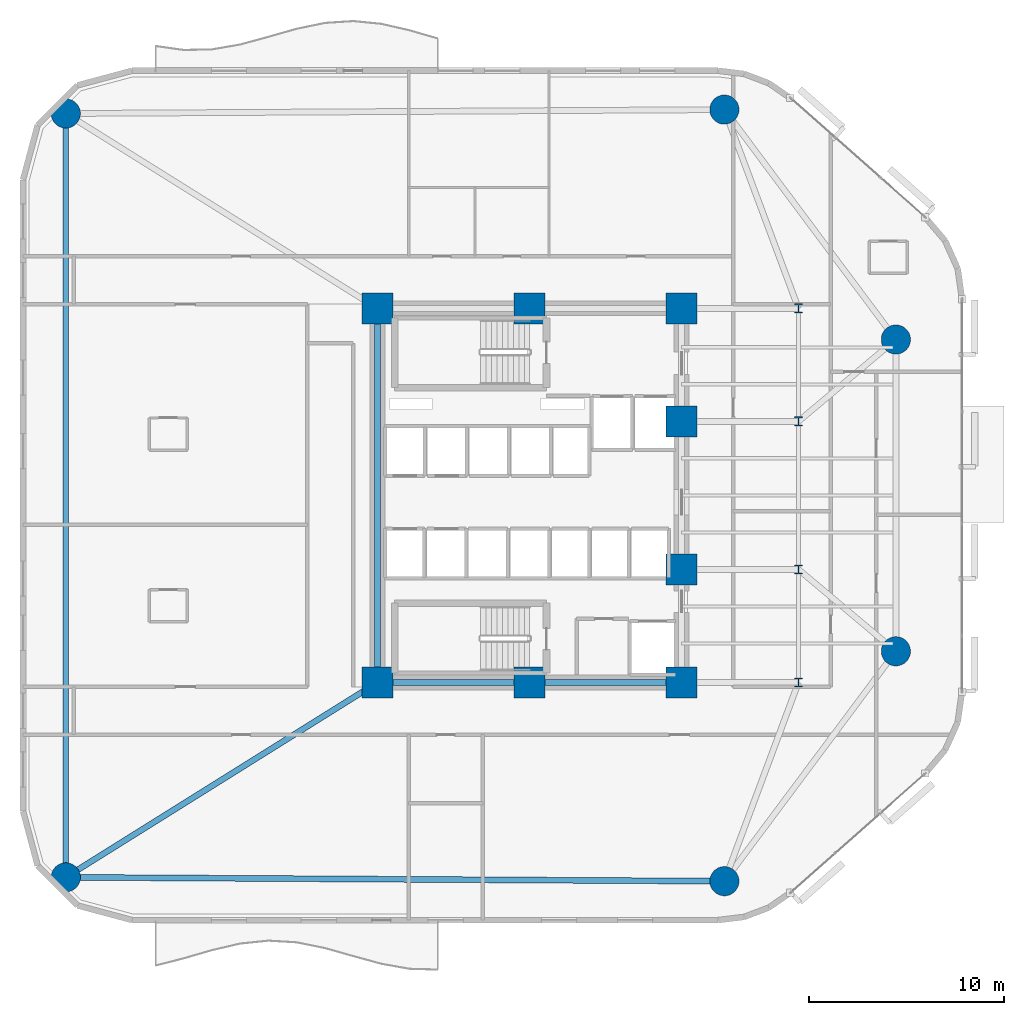
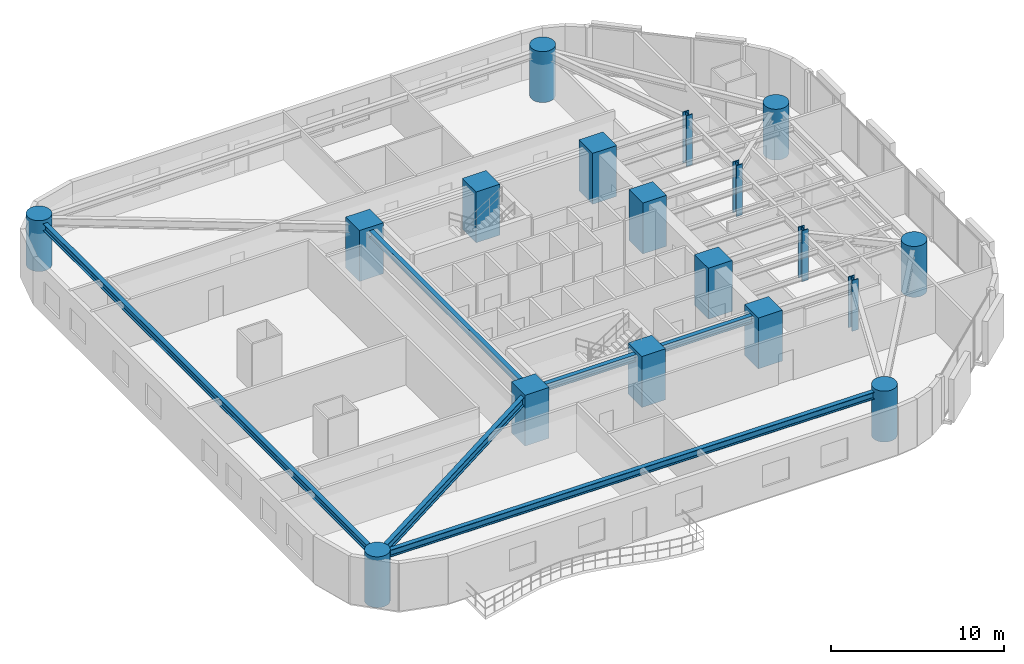
# One storey, part 1 of 16: 18 columns, 5 beams.
"""IFC4 building model written with IfcOpenShell, lengths in metres."""

from ifc_helpers import new_model, si_unit, direction, frame, origin, origin_2d, place, context, subcontext, project, spatial, rectangle, circle, i_section, extrude, material, material_profile, profile_set, type_object, element, save


model = new_model("IFC4")

# Units and contexts
model_context = context("Model", 3, precision=1e-05, world=origin(), true_north=direction((0.0, 1.0)))
body_context = subcontext(model_context, "Body", "Model", "MODEL_VIEW")
ifc_project = project(units=[si_unit("LENGTHUNIT", "METRE"), si_unit("AREAUNIT", "SQUARE_METRE"), si_unit("VOLUMEUNIT", "CUBIC_METRE"), si_unit("PLANEANGLEUNIT", "RADIAN"), si_unit("MASSUNIT", "GRAM", prefix="KILO")], contexts=[model_context])

# Site, building, storey
site_placement = place(None, origin())
site = spatial("IfcSite", under=ifc_project, at=site_placement, CompositionType="ELEMENT")
building_placement = place(site_placement, origin())
building = spatial("IfcBuilding", under=site, at=building_placement, Name="An Khanh Terracotta Commons", CompositionType="ELEMENT")
storey_placement = place(building_placement, frame((0.0, 0.0, 72.0)))
storey = spatial("IfcBuildingStorey", under=building, at=storey_placement, Name="L19", CompositionType="ELEMENT", Elevation=72.0)

# Columns
ifc_material_1 = material(Name="Concrete C70/85", Category="concrete")
ifc_material_profile_1 = material_profile(ifc_material_1, circle(Radius=0.75, at=origin_2d()), Name="CFST1500")
ifc_profile_set_1 = profile_set([ifc_material_profile_1], Name="Concrete C70/85")
column_type_1 = type_object("IfcColumnType", Name="COL-CFST1500", PredefinedType="COLUMN", material=ifc_profile_set_1)
for number, where, z_axis, x_axis, name in (
    (1, (5.60009765625, 4.39990234375, 0.0), (0.0, 0.0, 1.0), (1.0, 0.0, 0.0), "L19 Perimeter CFST Mega-Column MC-01"),
    (2, (39.39990234375, 4.199951171875, 0.0), (0.0, 0.0, 1.0), (1.0, 0.0, 0.0), "L19 Perimeter CFST Mega-Column MC-02"),
    (3, (48.199951171875, 16.0, 0.0), (0.0, 0.0, 1.0), (1.0, 0.0, 0.0), "L19 Perimeter CFST Mega-Column MC-03"),
    (4, (48.199951171875, 32.0, 0.0), (0.0, 0.0, 1.0), (1.0, 0.0, 0.0), "L19 Perimeter CFST Mega-Column MC-04"),
    (5, (39.39990234375, 43.800048828125, 0.0), (0.0, 0.0, 1.0), (1.0, 0.0, 0.0), "L19 Perimeter CFST Mega-Column MC-05"),
    (6, (5.60009765625, 43.60009765625, 0.0), (0.0, 0.0, 1.0), (1.0, 0.0, 0.0), "L19 Perimeter CFST Mega-Column MC-06"),
):
    element("IfcColumn", number, at=place(storey_placement, frame(where, z_axis=z_axis, x_axis=x_axis)), inside=storey, type_object=column_type_1, Name=name, PredefinedType="COLUMN", context=body_context, shape_type="SweptSolid", body=[
        extrude(circle(Radius=0.75, at=origin_2d()), origin(), (0.0, 0.0, 1.0), 3.60009765625),
    ])
ifc_material_2 = material(Name="Steel S460ML", Category="steel")
ifc_material_profile_2 = material_profile(ifc_material_2, i_section(OverallWidth=0.4169921875, OverallDepth=0.47705078125, WebThickness=0.035888671875, FlangeThickness=0.057373046875, FilletRadius=0.014892578125, at=origin_2d()), Name="HD400x463")
ifc_profile_set_2 = profile_set([ifc_material_profile_2], Name="Steel S460ML")
column_type_2 = type_object("IfcColumnType", Name="COL-HD400x463", PredefinedType="COLUMN", material=ifc_profile_set_2)
for number, where, z_axis, x_axis, name in (
    (7, (43.199951171875, 14.39990234375, 0.0), (0.0, 0.0, 1.0), (1.0, 0.0, 0.0), "L19 Interior Frame Column TC-01"),
    (8, (43.199951171875, 20.199951171875, 0.0), (0.0, 0.0, 1.0), (1.0, 0.0, 0.0), "L19 Interior Frame Column TC-02"),
    (9, (43.199951171875, 27.800048828125, 0.0), (0.0, 0.0, 1.0), (1.0, 0.0, 0.0), "L19 Interior Frame Column TC-03"),
    (10, (43.199951171875, 33.60009765625, 0.0), (0.0, 0.0, 1.0), (1.0, 0.0, 0.0), "L19 Interior Frame Column TC-04"),
):
    element("IfcColumn", number, at=place(storey_placement, frame(where, z_axis=z_axis, x_axis=x_axis)), inside=storey, type_object=column_type_2, Name=name, PredefinedType="COLUMN", context=body_context, shape_type="SweptSolid", body=[
        extrude(i_section(OverallWidth=0.4169921875, OverallDepth=0.47705078125, WebThickness=0.035888671875, FlangeThickness=0.057373046875, FilletRadius=0.014892578125, at=origin_2d()), origin(), (0.0, 0.0, 1.0), 3.60009765625),
    ])
ifc_material_profile_3 = material_profile(ifc_material_1, rectangle(XDim=1.60009765625, YDim=1.60009765625, at=origin_2d()), Name="RC1600x1600")
ifc_profile_set_3 = profile_set([ifc_material_profile_3], Name="Concrete C70/85")
column_type_3 = type_object("IfcColumnType", Name="COL-RC1600x1600", PredefinedType="COLUMN", material=ifc_profile_set_3)
for number, where, z_axis, x_axis, name in (
    (11, (21.60009765625, 14.39990234375, 0.0), (0.0, 0.0, 1.0), (1.0, 0.0, 0.0), "L19 Core Boundary Column CC-01"),
    (12, (29.39990234375, 14.39990234375, 0.0), (0.0, 0.0, 1.0), (1.0, 0.0, 0.0), "L19 Core Boundary Column CC-02"),
    (13, (37.199951171875, 14.39990234375, 0.0), (0.0, 0.0, 1.0), (1.0, 0.0, 0.0), "L19 Core Boundary Column CC-03"),
    (14, (37.199951171875, 20.199951171875, 0.0), (0.0, 0.0, 1.0), (1.0, 0.0, 0.0), "L19 Core Boundary Column CC-04"),
    (15, (37.199951171875, 27.800048828125, 0.0), (0.0, 0.0, 1.0), (1.0, 0.0, 0.0), "L19 Core Boundary Column CC-05"),
    (16, (37.199951171875, 33.60009765625, 0.0), (0.0, 0.0, 1.0), (1.0, 0.0, 0.0), "L19 Core Boundary Column CC-06"),
    (17, (29.39990234375, 33.60009765625, 0.0), (0.0, 0.0, 1.0), (1.0, 0.0, 0.0), "L19 Core Boundary Column CC-07"),
    (18, (21.60009765625, 33.60009765625, 0.0), (0.0, 0.0, 1.0), (1.0, 0.0, 0.0), "L19 Core Boundary Column CC-08"),
):
    element("IfcColumn", number, at=place(storey_placement, frame(where, z_axis=z_axis, x_axis=x_axis)), inside=storey, type_object=column_type_3, Name=name, PredefinedType="COLUMN", context=body_context, shape_type="SweptSolid", body=[
        extrude(rectangle(XDim=1.60009765625, YDim=1.60009765625, at=origin_2d()), origin(), (0.0, 0.0, 1.0), 3.60009765625),
    ])

# Beams
ifc_material_3 = material(Name="Steel S355J2", Category="steel")
ifc_material_profile_4 = material_profile(ifc_material_3, i_section(OverallWidth=0.300048828125, OverallDepth=0.449951171875, WebThickness=0.013916015625, FlangeThickness=0.02587890625, FilletRadius=0.027099609375, at=origin_2d()), Name="HEB450")
ifc_profile_set_4 = profile_set([ifc_material_profile_4], Name="Steel S355J2")
beam_type_1 = type_object("IfcBeamType", Name="BM-HEB450", PredefinedType="BEAM", material=ifc_profile_set_4)
beam_1_placement = place(storey_placement, frame((21.60009765625, 14.39990234375, 3.135009765625), z_axis=(0.0, 1.0, 0.0), x_axis=(-1.0, 0.0, 0.0)))
element("IfcBeam", 19, at=beam_1_placement, inside=storey, type_object=beam_type_1, Name="L19 Core West Coupling Girder", PredefinedType="BEAM", context=body_context, shape_type="SweptSolid", body=[
    extrude(i_section(OverallWidth=0.300048828125, OverallDepth=0.449951171875, WebThickness=0.013916015625, FlangeThickness=0.02587890625, FilletRadius=0.027099609375, at=origin_2d()), origin(), (0.0, 0.0, 1.0), 19.2001953125),
])
ifc_material_profile_5 = material_profile(ifc_material_3, i_section(OverallWidth=0.300048828125, OverallDepth=0.5, WebThickness=0.014404296875, FlangeThickness=0.028076171875, FilletRadius=0.027099609375, at=origin_2d()), Name="HEB500")
ifc_profile_set_5 = profile_set([ifc_material_profile_5], Name="Steel S355J2")
beam_type_2 = type_object("IfcBeamType", Name="BM-HEB500", PredefinedType="BEAM", material=ifc_profile_set_5)
beam_2_placement = place(storey_placement, frame((21.60009765625, 14.39990234375, 3.110107421875), z_axis=(1.0, 0.0, 0.0), x_axis=(0.0, 1.0, 0.0)))
element("IfcBeam", 20, at=beam_2_placement, inside=storey, type_object=beam_type_2, Name="L19 Core South Coupling Girder", PredefinedType="BEAM", context=body_context, shape_type="SweptSolid", body=[
    extrude(i_section(OverallWidth=0.300048828125, OverallDepth=0.5, WebThickness=0.014404296875, FlangeThickness=0.028076171875, FilletRadius=0.027099609375, at=origin_2d()), origin(), (0.0, 0.0, 1.0), 15.599853515625),
])
beam_3_placement = place(storey_placement, frame((5.60009765625, 4.39990234375, 3.110107421875), z_axis=(0.999982502414, -0.005915645817, 0.0), x_axis=(0.005915645817, 0.999982502414, 0.0)))
element("IfcBeam", 21, at=beam_3_placement, inside=storey, type_object=beam_type_2, Name="L19 Perimeter Ring Spandrel 1", PredefinedType="BEAM", context=body_context, shape_type="SweptSolid", body=[
    extrude(i_section(OverallWidth=0.300048828125, OverallDepth=0.5, WebThickness=0.014404296875, FlangeThickness=0.028076171875, FilletRadius=0.027099609375, at=origin_2d()), origin(), (0.0, 0.0, 1.0), 33.80029296875),
])
beam_4_placement = place(storey_placement, frame((5.60009765625, 43.60009765625, 3.110107421875), z_axis=(0.0, -1.0, 0.0), x_axis=(1.0, 0.0, 0.0)))
element("IfcBeam", 22, at=beam_4_placement, inside=storey, type_object=beam_type_2, Name="L19 Perimeter Ring Spandrel 6", PredefinedType="BEAM", context=body_context, shape_type="SweptSolid", body=[
    extrude(i_section(OverallWidth=0.300048828125, OverallDepth=0.5, WebThickness=0.014404296875, FlangeThickness=0.028076171875, FilletRadius=0.027099609375, at=origin_2d()), origin(), (0.0, 0.0, 1.0), 39.2001953125),
])
ifc_material_profile_6 = material_profile(ifc_material_3, i_section(OverallWidth=0.300048828125, OverallDepth=0.60009765625, WebThickness=0.015380859375, FlangeThickness=0.030029296875, FilletRadius=0.027099609375, at=origin_2d()), Name="HEB600")
ifc_profile_set_6 = profile_set([ifc_material_profile_6], Name="Steel S355J2")
beam_type_3 = type_object("IfcBeamType", Name="BM-HEB600", PredefinedType="BEAM", material=ifc_profile_set_6)
beam_5_placement = place(storey_placement, frame((5.60009765625, 4.39990234375, 3.06005859375), z_axis=(0.847998304005, 0.529998940003, 0.0), x_axis=(-0.529998940003, 0.847998304005, 0.0)))
element("IfcBeam", 23, at=beam_5_placement, inside=storey, type_object=beam_type_3, Name="L19 Mega-Column Tie Girder 1", PredefinedType="BEAM", context=body_context, shape_type="SweptSolid", body=[
    extrude(i_section(OverallWidth=0.300048828125, OverallDepth=0.60009765625, WebThickness=0.015380859375, FlangeThickness=0.030029296875, FilletRadius=0.027099609375, at=origin_2d()), origin(), (0.0, 0.0, 1.0), 18.867919921875),
])

save(model, "model.ifc")
